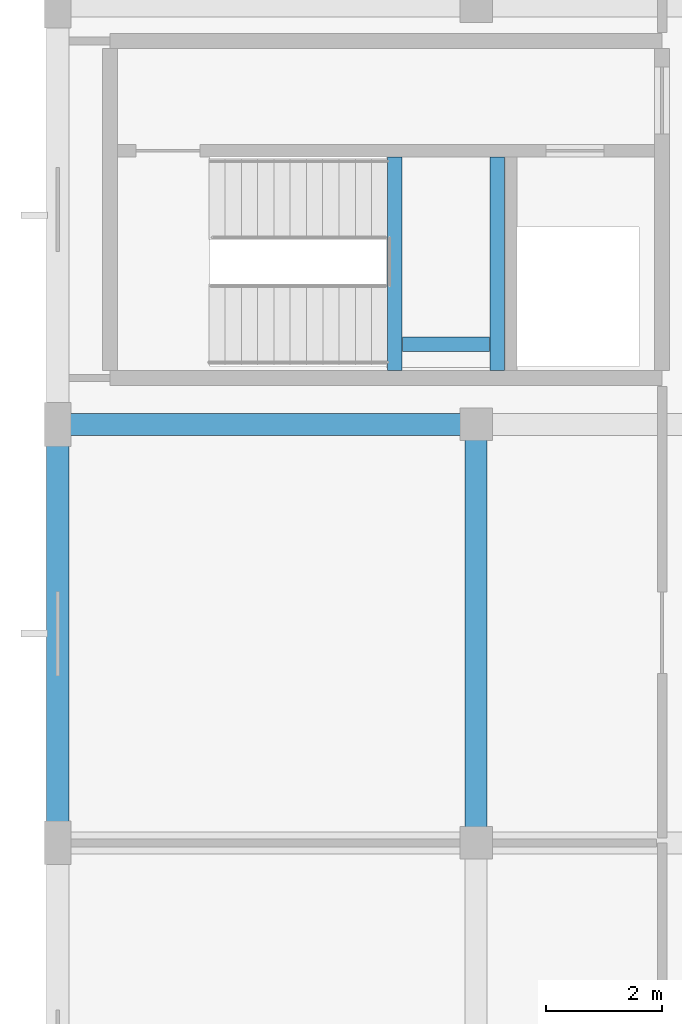
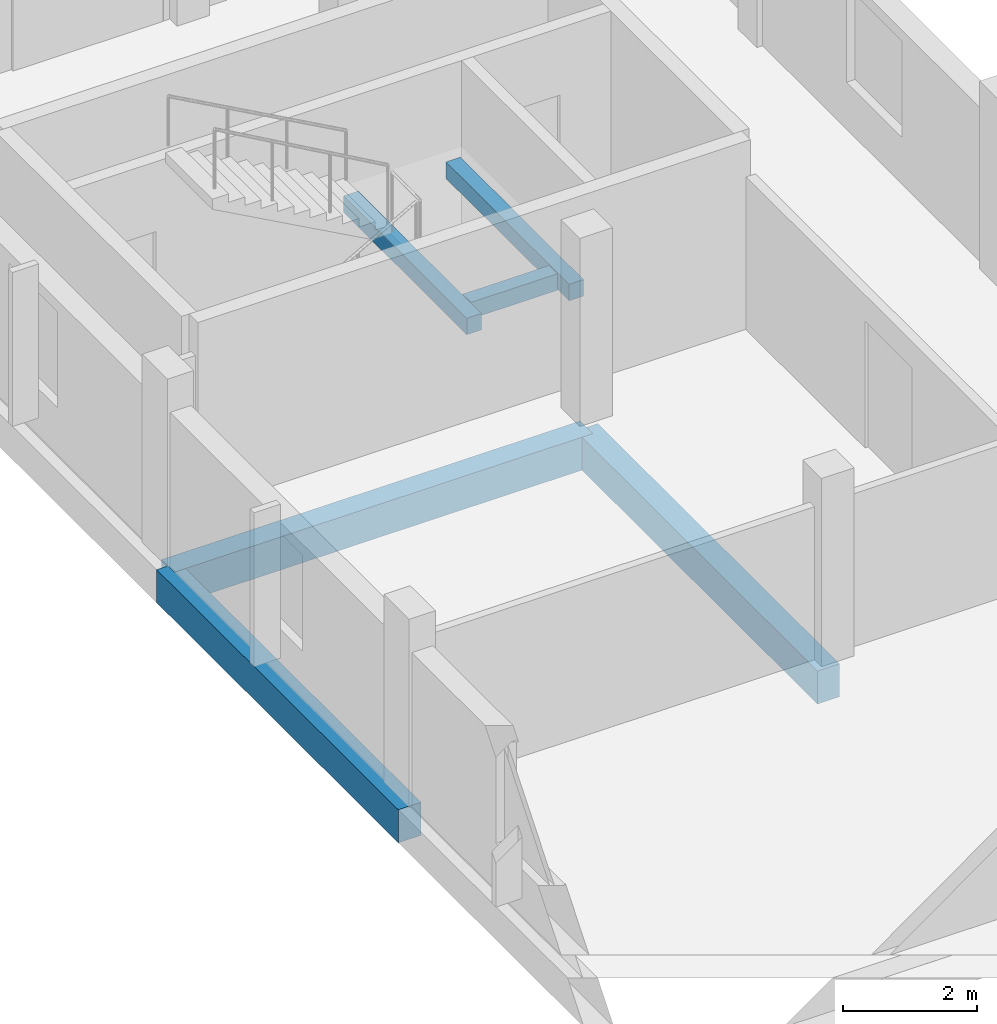
# One storey, part 11 of 84: 6 beams.
"""IFC4 building model written with IfcOpenShell, lengths in metres."""

from ifc_helpers import new_model, si_unit, direction, frame, origin, origin_2d, place, context, subcontext, project, spatial, rectangle, extrude, material, material_profile, profile_set, type_object, element, save


model = new_model("IFC4")

# Units and contexts
model_context = context("Model", 3, precision=1e-05, world=origin(), true_north=direction((0.0, 1.0)))
body_context = subcontext(model_context, "Body", "Model", "MODEL_VIEW")
ifc_project = project(units=[si_unit("LENGTHUNIT", "METRE"), si_unit("AREAUNIT", "SQUARE_METRE"), si_unit("VOLUMEUNIT", "CUBIC_METRE"), si_unit("PLANEANGLEUNIT", "RADIAN"), si_unit("MASSUNIT", "GRAM", prefix="KILO")], contexts=[model_context])

# Site, building, storey
site_placement = place(None, origin())
site = spatial("IfcSite", under=ifc_project, at=site_placement, CompositionType="ELEMENT")
building_placement = place(site_placement, origin())
building = spatial("IfcBuilding", under=site, at=building_placement, Name="Zornivar Specialist Clinic", CompositionType="ELEMENT")
storey_placement = place(building_placement, frame((0.0, 0.0, 12.300048828125)))
storey = spatial("IfcBuildingStorey", under=building, at=storey_placement, Name="L03", CompositionType="ELEMENT", Elevation=12.300048828125)

# Beams
ifc_material_1 = material(Name="Concrete C30/37", Category="concrete")
ifc_material_profile_1 = material_profile(ifc_material_1, rectangle(XDim=0.25, YDim=0.300048828125, at=origin_2d()), Name="RC 250x300")
ifc_profile_set_1 = profile_set([ifc_material_profile_1], Name="Concrete C30/37")
beam_type_1 = type_object("IfcBeamType", Name="BM-LAND-250x300", PredefinedType="BEAM", material=ifc_profile_set_1)
for number, where, z_axis, x_axis, name in (
    (1, (5.800048828125, 36.929931640625, 1.52001953125), (0.0, 1.0, 0.0), (-1.0, 0.0, 0.0), "bm:stair:C2:L03:lW"),
    (2, (7.56005859375, 36.929931640625, 1.52001953125), (0.0, 1.0, 0.0), (-1.0, 0.0, 0.0), "bm:stair:C2:L03:lE"),
):
    element("IfcBeam", number, at=place(storey_placement, frame(where, z_axis=z_axis, x_axis=x_axis)), inside=storey, type_object=beam_type_1, Name=name, PredefinedType="BEAM", context=body_context, shape_type="SweptSolid", body=[
        extrude(rectangle(XDim=0.25, YDim=0.300048828125, at=origin_2d()), origin(), (0.0, 0.0, 1.0), 3.670166015625),
    ])
beam_1_placement = place(storey_placement, frame((5.93505859375, 37.3798828125, 1.52001953125), z_axis=(1.0, 0.0, 0.0), x_axis=(0.0, 1.0, 0.0)))
element("IfcBeam", 3, at=beam_1_placement, inside=storey, type_object=beam_type_1, Name="bm:stair:C2:L03:lS", PredefinedType="BEAM", context=body_context, shape_type="SweptSolid", body=[
    extrude(rectangle(XDim=0.25, YDim=0.300048828125, at=origin_2d()), origin(), (0.0, 0.0, 1.0), 1.489990234375),
])
ifc_material_2 = material(Name="Concrete C30/37", Category="concrete")
ifc_material_profile_2 = material_profile(ifc_material_2, rectangle(XDim=0.3798828125, YDim=0.60009765625, at=origin_2d()), Name="RC 380x600")
ifc_profile_set_2 = profile_set([ifc_material_profile_2], Name="Concrete C30/37")
beam_type_2 = type_object("IfcBeamType", Name="BM-RC-380x600", PredefinedType="BEAM", material=ifc_profile_set_2)
for number, where, z_axis, x_axis, name in (
    (4, (0.0, 36.0, -0.580078125), (1.0, 0.0, 0.0), (0.0, 1.0, 0.0), "bm:V2:L03:x:360:0"),
    (5, (7.199951171875, 28.800048828125, -0.580078125), (0.0, 1.0, 0.0), (-1.0, 0.0, 0.0), "bm:V2:L03:y:72:4"),
):
    element("IfcBeam", number, at=place(storey_placement, frame(where, z_axis=z_axis, x_axis=x_axis)), inside=storey, type_object=beam_type_2, Name=name, PredefinedType="BEAM", context=body_context, shape_type="SweptSolid", body=[
        extrude(rectangle(XDim=0.3798828125, YDim=0.60009765625, at=origin_2d()), origin(), (0.0, 0.0, 1.0), 7.199951171875),
    ])
ifc_material_3 = material(Name="Concrete C30/37", Category="concrete")
ifc_material_profile_3 = material_profile(ifc_material_3, rectangle(XDim=0.389892578125, YDim=0.60009765625, at=origin_2d()), Name="RC 390x600")
ifc_profile_set_3 = profile_set([ifc_material_profile_3], Name="Concrete C30/37")
beam_type_3 = type_object("IfcBeamType", Name="BM-RC-SPANDREL-390x600", PredefinedType="SPANDREL", material=ifc_profile_set_3)
beam_2_placement = place(storey_placement, frame((0.0, 28.800048828125, -0.580078125), z_axis=(0.0, 1.0, 0.0), x_axis=(-1.0, 0.0, 0.0)))
element("IfcBeam", 6, at=beam_2_placement, inside=storey, type_object=beam_type_3, Name="bm:V2:L03:y:0:4", PredefinedType="SPANDREL", context=body_context, shape_type="SweptSolid", body=[
    extrude(rectangle(XDim=0.389892578125, YDim=0.60009765625, at=origin_2d()), origin(), (0.0, 0.0, 1.0), 7.199951171875),
])

save(model, "model.ifc")
